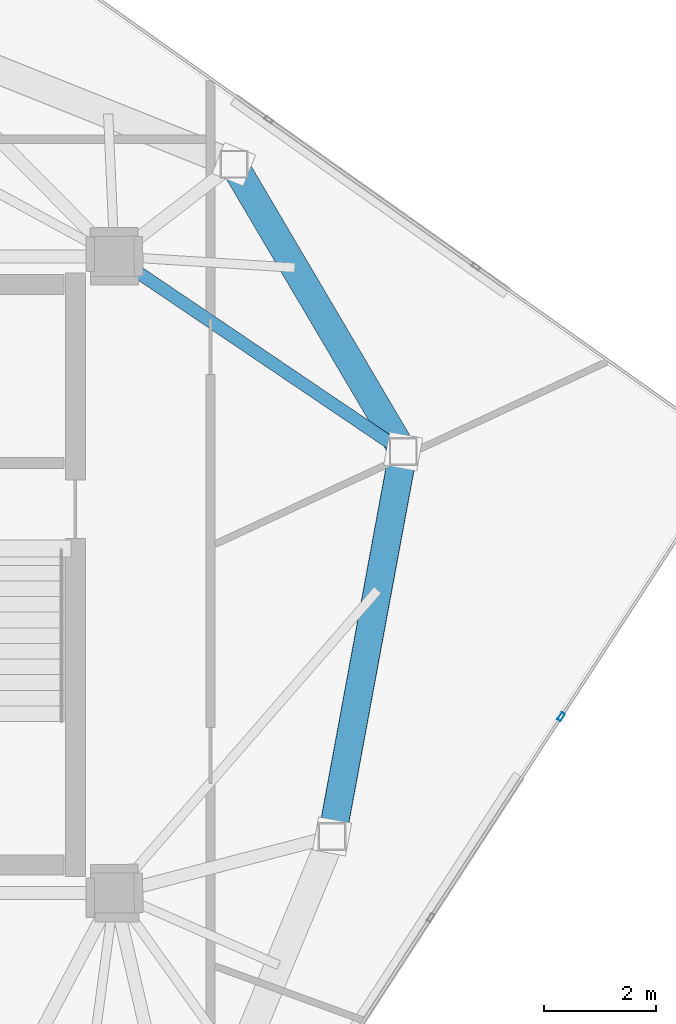
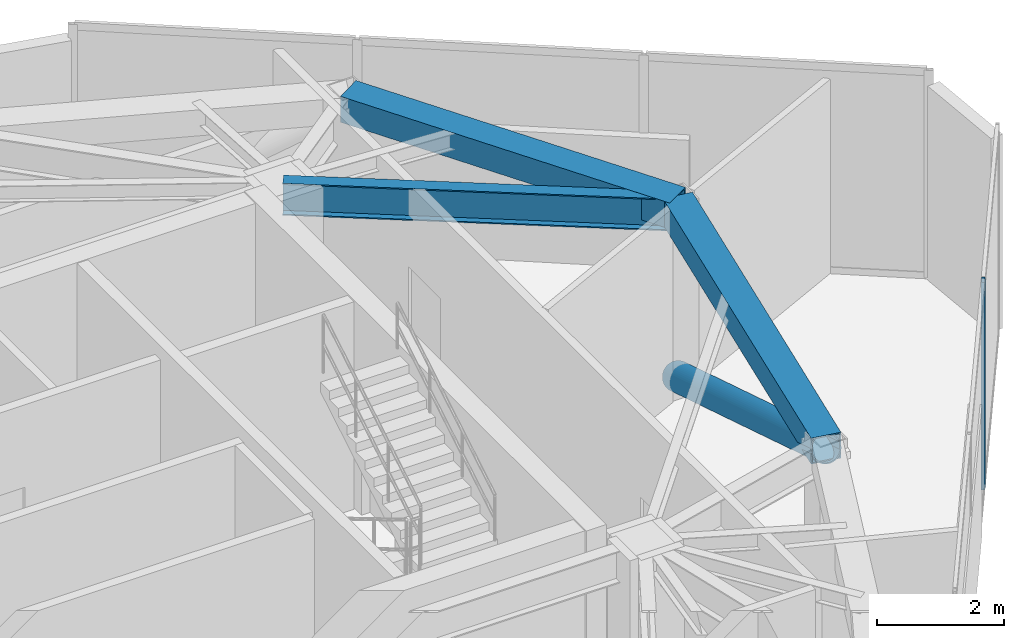
# One storey, part 13 of 21: 3 beams, 2 members, 1 element without a shape of its own.
"""IFC4 building model written with IfcOpenShell, lengths in metres."""

from ifc_helpers import new_model, si_unit, direction, frame, origin, origin_2d, place, context, subcontext, project, spatial, hollow_rectangle, hollow_circle, i_section, extrude, source, transform, mapped, material, layer, layer_set, material_profile, profile_set, type_object, type_shapes, element, aggregate, save


model = new_model("IFC4")

# Units and contexts
model_context = context("Model", 3, precision=1e-05, world=origin(), true_north=direction((0.0, 1.0)))
body_context = subcontext(model_context, "Body", "Model", "MODEL_VIEW")
ifc_project = project(units=[si_unit("LENGTHUNIT", "METRE"), si_unit("AREAUNIT", "SQUARE_METRE"), si_unit("VOLUMEUNIT", "CUBIC_METRE"), si_unit("PLANEANGLEUNIT", "RADIAN"), si_unit("MASSUNIT", "GRAM", prefix="KILO")], contexts=[model_context])

# Site, building, storey
site_placement = place(None, origin())
site = spatial("IfcSite", under=ifc_project, at=site_placement, CompositionType="ELEMENT")
building_placement = place(site_placement, origin())
building = spatial("IfcBuilding", under=site, at=building_placement, Name="Talar Marvaseh", CompositionType="ELEMENT")
storey_placement = place(building_placement, frame((0.0, 0.0, 308.0)))
storey = spatial("IfcBuildingStorey", under=building, at=storey_placement, Name="L82", CompositionType="ELEMENT", Elevation=308.0)

# Beams
ifc_material_1 = material(Name="Steel S460", Category="steel")
ifc_material_profile_1 = material_profile(ifc_material_1, hollow_rectangle(XDim=0.5, YDim=0.5, WallThickness=0.02490234375, at=origin_2d()), Name="BOX500x500x25")
ifc_profile_set_1 = profile_set([ifc_material_profile_1], Name="Steel S460")
beam_type_1 = type_object("IfcBeamType", Name="Crown Frame Top Ring Beam BOX500x500x25", PredefinedType="BEAM", material=ifc_profile_set_1)
beam_1_placement = place(storey_placement, frame((35.43798828125, 38.551025390625, 3.489990234375), z_axis=(0.507825587611, -0.861459907696, 0.0), x_axis=(0.861459907696, 0.507825587611, 0.0)))
element("IfcBeam", 1, at=beam_1_placement, inside=storey, type_object=beam_type_1, Name="L82 Crown Frame Top Ring Beam BOX500x500x25", PredefinedType="BEAM", context=body_context, shape_type="SweptSolid", body=[
    extrude(hollow_rectangle(XDim=0.5, YDim=0.5, WallThickness=0.02490234375, at=origin_2d()), origin(), (0.0, 0.0, 1.0), 5.972412109375),
])
beam_2_placement = place(storey_placement, frame((38.470947265625, 33.406005859375, 3.489990234375), z_axis=(-0.181759950929, -0.983342931148, 0.0), x_axis=(0.983342931148, -0.181759950929, 0.0)))
element("IfcBeam", 2, at=beam_2_placement, inside=storey, type_object=beam_type_1, Name="L82 Crown Frame Top Ring Beam BOX500x500x25", PredefinedType="BEAM", context=body_context, shape_type="SweptSolid", body=[
    extrude(hollow_rectangle(XDim=0.5, YDim=0.5, WallThickness=0.02490234375, at=origin_2d()), origin(), (0.0, 0.0, 1.0), 7.0087890625),
])
ifc_material_2 = material(Name="Steel S355", Category="steel")
ifc_material_profile_2 = material_profile(ifc_material_2, i_section(OverallWidth=0.22998046875, OverallDepth=0.616943359375, WebThickness=0.01318359375, FlangeThickness=0.022216796875, at=origin_2d()), Name="W610x140")
ifc_profile_set_2 = profile_set([ifc_material_profile_2], Name="Steel S355")
beam_type_2 = type_object("IfcBeamType", Name="Zone 4 Radial Floor Girder W610x140", PredefinedType="BEAM", material=ifc_profile_set_2)
beam_3_placement = place(storey_placement, frame((38.470947265625, 33.406005859375, 3.431396484375), z_axis=(-0.828585535277, 0.559862492698, 0.0), x_axis=(-0.559862492698, -0.828585535277, 0.0)))
element("IfcBeam", 3, at=beam_3_placement, inside=storey, type_object=beam_type_2, Name="L82 Zone 4 Radial Floor Girder W610x140", PredefinedType="BEAM", context=body_context, shape_type="SweptSolid", body=[
    extrude(i_section(OverallWidth=0.22998046875, OverallDepth=0.616943359375, WebThickness=0.01318359375, FlangeThickness=0.022216796875, at=origin_2d()), origin(), (0.0, 0.0, 1.0), 6.24072265625),
])

# Member
ifc_material_profile_3 = material_profile(ifc_material_1, hollow_circle(Radius=0.25390625, WallThickness=0.02001953125, at=origin_2d()), Name="CHS508x20")
ifc_profile_set_3 = profile_set([ifc_material_profile_3], Name="Steel S460")
member_type_1 = type_object("IfcMemberType", Name="Crown Frame Diagonal Brace CHS508x20", PredefinedType="BRACE", material=ifc_profile_set_3)
shared_shape_1 = source(origin(), body_context, "Body", "SweptSolid", [
    extrude(hollow_circle(Radius=0.25390625, WallThickness=0.02001953125, at=origin_2d()), origin(), (0.0, 0.0, 1.0), 7.721435546875),
])
type_shapes(member_type_1, [shared_shape_1])
member_1_placement = place(storey_placement, frame((38.470947265625, 33.406005859375, 0.25), z_axis=(-0.16498456322, -0.8925860904, 0.41960715571), x_axis=(0.983342931148, -0.181759950929, 0.0)))
element("IfcMember", 4, at=member_1_placement, inside=storey, type_object=member_type_1, Name="L82 Crown Frame Diagonal Brace 7", PredefinedType="BRACE", context=body_context, shape_type="MappedRepresentation", body=[
    mapped(shared_shape_1, transform((0.0, 0.0, 0.0), x_axis=(1.0, 0.0, 0.0), y_axis=(0.0, 1.0, 0.0), z_axis=(0.0, 0.0, 1.0), scale=1.0)),
])

# Curtain wall, member
ifc_material_3 = material(Name="Architectural Aluminium", Category="aluminium")
ifc_layer = layer(ifc_material_3, 0.2099609375)
ifc_layer_set = layer_set([ifc_layer], Name="Architectural Aluminium")
curtain_wall_type = type_object("IfcCurtainWallType", Name="Crown Plant Acoustic Spandrel Curtain Wall", PredefinedType="NOTDEFINED", material=ifc_layer_set)
curtain_wall_placement = place(storey_placement, origin())
curtain_wall = element("IfcCurtainWall", 5, at=curtain_wall_placement, inside=storey, type_object=curtain_wall_type, Name="L82 Crown Plant Acoustic Spandrel Curtain Wall", PredefinedType="NOTDEFINED")
ifc_material_profile_4 = material_profile(ifc_material_3, hollow_rectangle(XDim=0.06494140625, YDim=0.14990234375, WallThickness=0.00390625, at=origin_2d()), Name="RHS150x65x4")
ifc_profile_set_4 = profile_set([ifc_material_profile_4], Name="Architectural Aluminium")
member_type_2 = type_object("IfcMemberType", Name="Unitised Curtain Wall Slim Mullion RHS150x65x4", PredefinedType="MULLION", material=ifc_profile_set_4)
shared_shape_2 = source(origin(), body_context, "Body", "SweptSolid", [
    extrude(hollow_rectangle(XDim=0.06494140625, YDim=0.14990234375, WallThickness=0.00390625, at=origin_2d()), origin(), (0.0, 0.0, 1.0), 4.0),
])
type_shapes(member_type_2, [shared_shape_2])
member_2_placement = place(storey_placement, frame((41.2998046875, 28.657470703125, 0.0), z_axis=(0.0, 0.0, 1.0), x_axis=(0.838585906919, -0.544769379387, 0.0)))
member_2 = element("IfcMember", 6, at=member_2_placement, type_object=member_type_2, Name="CW-CRN mullion 2", PredefinedType="MULLION", context=body_context, shape_type="MappedRepresentation", body=[
    mapped(shared_shape_2, transform((0.0, 0.0, 0.0), x_axis=(1.0, 0.0, 0.0), y_axis=(0.0, 1.0, 0.0), z_axis=(0.0, 0.0, 1.0), scale=1.0)),
])
aggregate(curtain_wall, [member_2])

save(model, "model.ifc")
